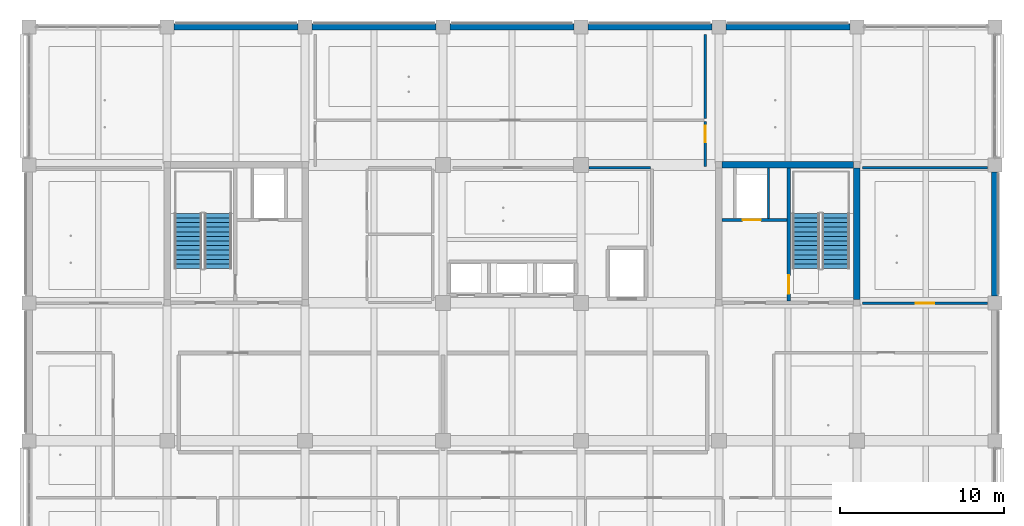
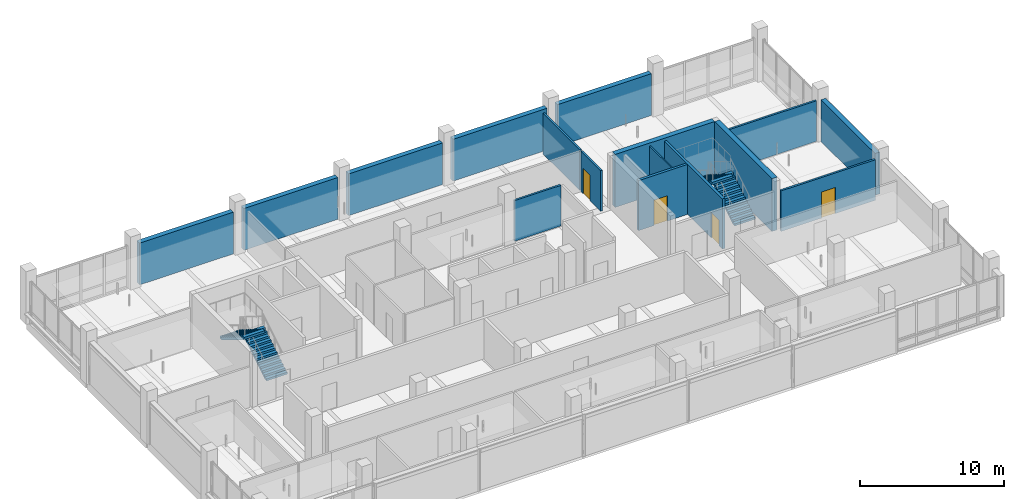
# One storey, part 13 of 36: 16 walls, 4 doors, 4 stair flights, 4 openings, 2 elements without a shape of their own.
"""IFC4 building model written with IfcOpenShell, lengths in metres."""

from ifc_helpers import new_model, si_unit, direction, frame, frame_2d, origin, place, context, subcontext, project, spatial, polyline, rectangle, outline, extrude, material, layer, layer_set, type_object, element, fill, aggregate, save


model = new_model("IFC4")

# Units and contexts
model_context = context("Model", 3, precision=1e-05, world=origin(), true_north=direction((0.0, 1.0)))
body_context = subcontext(model_context, "Body", "Model", "MODEL_VIEW")
ifc_project = project(units=[si_unit("LENGTHUNIT", "METRE"), si_unit("AREAUNIT", "SQUARE_METRE"), si_unit("VOLUMEUNIT", "CUBIC_METRE"), si_unit("PLANEANGLEUNIT", "RADIAN"), si_unit("MASSUNIT", "GRAM", prefix="KILO")], contexts=[model_context])

# Site, building, storey
site_placement = place(None, origin())
site = spatial("IfcSite", under=ifc_project, at=site_placement, CompositionType="ELEMENT")
building_placement = place(site_placement, origin())
building = spatial("IfcBuilding", under=site, at=building_placement, Name="Telukmera Botanical Conservatory", CompositionType="ELEMENT")
storey_placement = place(building_placement, frame((0.0, 0.0, 24.0)))
storey = spatial("IfcBuildingStorey", under=building, at=storey_placement, Name="L05", CompositionType="ELEMENT", Elevation=24.0)

# Walls
ifc_material_1 = material(Name="Terracotta-faced precast concrete C40/50", Category="masonry")
ifc_layer_1 = layer(ifc_material_1, 0.3798828125)
ifc_layer_set_1 = layer_set([ifc_layer_1], Name="Terracotta-faced precast concrete C40/50")
wall_type_1 = type_object("IfcWallType", Name="Exterior Herbarium Vault Insulated Precast Wall 380", PredefinedType="SOLIDWALL", material=ifc_layer_set_1)
wall_1_placement = place(storey_placement, frame((59.22705078125, 42.800048828125, 0.0), z_axis=(0.0, 0.0, 1.0), x_axis=(1.0, 0.0, 0.0)))
element("IfcWall", 1, at=wall_1_placement, inside=storey, type_object=wall_type_1, Name="Exterior Precast Wall EW04 V4:L05:N2", PredefinedType="SOLIDWALL", context=body_context, shape_type="SweptSolid", body=[
    extrude(rectangle(XDim=7.5458984375, YDim=0.3798828125, at=frame_2d((3.77294921875, 0.0))), origin(), (0.0, 0.0, 1.0), 3.550048828125),
])
wall_2_placement = place(storey_placement, frame((67.626953125, 42.800048828125, 0.0), z_axis=(0.0, 0.0, 1.0), x_axis=(1.0, 0.0, 0.0)))
element("IfcWall", 2, at=wall_2_placement, inside=storey, type_object=wall_type_1, Name="Exterior Precast Wall EW04 V4:L05:N3", PredefinedType="SOLIDWALL", context=body_context, shape_type="SweptSolid", body=[
    extrude(rectangle(XDim=7.546142578125, YDim=0.3798828125, at=frame_2d((3.77294921875, 0.0))), origin(), (0.0, 0.0, 1.0), 3.550048828125),
])
for number, where, z_axis, x_axis, name in (
    (3, (76.027099609375, 42.800048828125, 0.0), (0.0, 0.0, 1.0), (1.0, 0.0, 0.0), "Exterior Precast Wall EW04 V4:L05:N4"),
    (4, (84.427001953125, 42.800048828125, 0.0), (0.0, 0.0, 1.0), (1.0, 0.0, 0.0), "Exterior Precast Wall EW04 V4:L05:N5"),
):
    element("IfcWall", number, at=place(storey_placement, frame(where, z_axis=z_axis, x_axis=x_axis)), inside=storey, type_object=wall_type_1, Name=name, PredefinedType="SOLIDWALL", context=body_context, shape_type="SweptSolid", body=[
        extrude(rectangle(XDim=7.5458984375, YDim=0.3798828125, at=frame_2d((3.77294921875, 0.0))), origin(), (0.0, 0.0, 1.0), 3.550048828125),
    ])
wall_3_placement = place(storey_placement, frame((92.826904296875, 42.800048828125, 0.0), z_axis=(0.0, 0.0, 1.0), x_axis=(1.0, 0.0, 0.0)))
element("IfcWall", 5, at=wall_3_placement, inside=storey, type_object=wall_type_1, Name="Exterior Precast Wall EW04 V4:L05:N6", PredefinedType="SOLIDWALL", context=body_context, shape_type="SweptSolid", body=[
    extrude(rectangle(XDim=7.546142578125, YDim=0.3798828125, at=frame_2d((3.77294921875, 0.0))), origin(), (0.0, 0.0, 1.0), 3.550048828125),
])
wall_4_placement = place(storey_placement, frame((109.199951171875, 26.427001953125, 0.0), z_axis=(0.0, 0.0, 1.0), x_axis=(0.0, 1.0, 0.0)))
element("IfcWall", 6, at=wall_4_placement, inside=storey, type_object=wall_type_1, Name="Exterior Precast Wall EW04 V4:L05:E3", PredefinedType="SOLIDWALL", context=body_context, shape_type="SweptSolid", body=[
    extrude(rectangle(XDim=7.5458984375, YDim=0.3798828125, at=frame_2d((3.77294921875, 0.0))), origin(), (0.0, 0.0, 1.0), 3.550048828125),
])

# Wall, opening, door
ifc_material_2 = material(Name="Concrete C40/50", Category="concrete")
ifc_layer_2 = layer(ifc_material_2, 0.199951171875)
ifc_layer_set_2 = layer_set([ifc_layer_2], Name="Concrete C40/50")
wall_type_2 = type_object("IfcWallType", Name="WT-CORE-200", PredefinedType="SOLIDWALL", material=ifc_layer_set_2)
wall_5_placement = place(storey_placement, frame((96.64990234375, 26.10009765625, 0.0), z_axis=(0.0, 0.0, 1.0), x_axis=(0.0, 1.0, 0.0)))
wall_5 = element("IfcWall", 7, at=wall_5_placement, inside=storey, type_object=wall_type_2, Name="L05 Core C2 Stair-Lobby Wall", PredefinedType="SOLIDWALL", context=body_context, shape_type="SweptSolid", body=[
    extrude(rectangle(XDim=8.099853515625, YDim=0.199951171875, at=frame_2d((4.0498046875, 0.0))), origin(), (0.0, 0.0, 1.0), 4.25),
])
opening_1_placement = place(wall_5_placement, frame((0.449951171875, 0.0, 0.0)))
opening_1 = element("IfcOpeningElement", 8, at=opening_1_placement, cuts=wall_5, Name="Opening FD60B", PredefinedType="OPENING", context=body_context, shape_type="SweptSolid", body=[
    extrude(rectangle(XDim=1.1201171875, YDim=2.14990234375, at=frame_2d((0.56005859375, 1.074951171875))), frame((0.0, 0.10986328125, 0.0), z_axis=(0.0, -1.0, 0.0), x_axis=(1.0, 0.0, 0.0)), (0.0, 0.0, 1.0), 0.219970703125),
])
ifc_material_3 = material(Name="Hardwood fire door", Category="wood")
door_type_1 = type_object("IfcDoorType", Name="DT-FD60-02", OperationType="NOTDEFINED", PredefinedType="DOOR", material=ifc_material_3)
door_1_placement = place(opening_1_placement, frame((1.1201171875, 0.0, 0.0), z_axis=(0.0, 0.0, 1.0), x_axis=(-1.0, 0.0, 0.0)))
door_1 = element("IfcDoor", 9, at=door_1_placement, inside=storey, type_object=door_type_1, Name="L05 Firefighting Lobby C2 to ST2 Door", OperationType="SINGLE_SWING_RIGHT", OverallHeight=2.14990234375, OverallWidth=1.1201171875, PredefinedType="DOOR", context=body_context, shape_type="SweptSolid", body=[
    extrude(rectangle(XDim=1.1201171875, YDim=2.14990234375, at=frame_2d((0.56005859375, 1.074951171875))), frame((0.0, 0.02490234375, 0.0), z_axis=(0.0, -1.0, 0.0), x_axis=(1.0, 0.0, 0.0)), (0.0, 0.0, 1.0), 0.050048828125),
])
fill(opening_1, door_1)

wall_6_placement = place(storey_placement, frame((92.60009765625, 31.050048828125, 0.0), z_axis=(0.0, 0.0, 1.0), x_axis=(1.0, 0.0, 0.0)))
wall_6 = element("IfcWall", 10, at=wall_6_placement, inside=storey, type_object=wall_type_2, Name="L05 Fire Lift FL2 Shaft Front Wall", PredefinedType="SOLIDWALL", context=body_context, shape_type="SweptSolid", body=[
    extrude(rectangle(XDim=3.949951171875, YDim=0.199951171875, at=frame_2d((1.97509765625, 0.0))), origin(), (0.0, 0.0, 1.0), 4.25),
])
opening_2_placement = place(wall_6_placement, frame((1.25, 0.0, 0.0)))
opening_2 = element("IfcOpeningElement", 11, at=opening_2_placement, cuts=wall_6, Name="Opening LD01", PredefinedType="OPENING", context=body_context, shape_type="SweptSolid", body=[
    extrude(rectangle(XDim=1.10009765625, YDim=2.14990234375, at=frame_2d((0.550048828125, 1.074951171875))), frame((0.0, 0.10986328125, 0.0), z_axis=(0.0, -1.0, 0.0), x_axis=(1.0, 0.0, 0.0)), (0.0, 0.0, 1.0), 0.219970703125),
])
ifc_material_4 = material(Name="Stainless steel 316", Category="steel")
door_type_2 = type_object("IfcDoorType", Name="DT-LD01", OperationType="SLIDING_TO_LEFT", PredefinedType="DOOR", material=ifc_material_4)
door_2_placement = place(opening_2_placement, frame((1.10009765625, 0.0, 0.0), z_axis=(0.0, 0.0, 1.0), x_axis=(-1.0, 0.0, 0.0)))
door_2 = element("IfcDoor", 12, at=door_2_placement, inside=storey, type_object=door_type_2, Name="L05 Lift Landing Door FL2", OperationType="SLIDING_TO_LEFT", OverallHeight=2.14990234375, OverallWidth=1.10009765625, PredefinedType="DOOR", context=body_context, shape_type="SweptSolid", body=[
    extrude(rectangle(XDim=1.10009765625, YDim=2.14990234375, at=frame_2d((0.550048828125, 1.074951171875))), frame((0.0, 0.02490234375, 0.0), z_axis=(0.0, -1.0, 0.0), x_axis=(1.0, 0.0, 0.0)), (0.0, 0.0, 1.0), 0.050048828125),
])
fill(opening_2, door_2)

# Wall
ifc_material_5 = material(Name="Gypsum acoustic stud partition")
ifc_layer_3 = layer(ifc_material_5, 0.159912109375)
ifc_layer_set_3 = layer_set([ifc_layer_3], Name="Gypsum acoustic stud partition")
wall_type_3 = type_object("IfcWallType", Name="WT-LAB-160", PredefinedType="PARTITIONING", material=ifc_layer_set_3)
wall_7_placement = place(storey_placement, frame((84.47998046875, 34.22509765625, 0.0), z_axis=(0.0, 0.0, 1.0), x_axis=(1.0, 0.0, 0.0)))
element("IfcWall", 13, at=wall_7_placement, inside=storey, type_object=wall_type_3, Name="L05 Interior Partition 08", PredefinedType="PARTITIONING", context=body_context, shape_type="SweptSolid", body=[
    extrude(rectangle(XDim=3.755126953125, YDim=0.159912109375, at=frame_2d((1.87744140625, 0.0))), origin(), (0.0, 0.0, 1.0), 3.449951171875),
])

# Wall, opening, door
wall_8_placement = place(storey_placement, frame((101.14990234375, 25.97509765625, 0.0), z_axis=(0.0, 0.0, 1.0), x_axis=(1.0, 0.0, 0.0)))
wall_8 = element("IfcWall", 14, at=wall_8_placement, inside=storey, type_object=wall_type_3, Name="L05 Interior Partition 11", PredefinedType="PARTITIONING", context=body_context, shape_type="SweptSolid", body=[
    extrude(rectangle(XDim=7.59521484375, YDim=0.159912109375, at=frame_2d((3.797607421875, 0.0))), origin(), (0.0, 0.0, 1.0), 3.449951171875),
])
opening_3_placement = place(wall_8_placement, frame((3.2275390625, 0.0, 0.0)))
opening_3 = element("IfcOpeningElement", 15, at=opening_3_placement, cuts=wall_8, Name="Opening ID10", PredefinedType="OPENING", context=body_context, shape_type="SweptSolid", body=[
    extrude(rectangle(XDim=1.139892578125, YDim=2.219970703125, at=frame_2d((0.56982421875, 1.10986328125))), frame((0.0, 0.08984375, 0.0), z_axis=(0.0, -1.0, 0.0), x_axis=(1.0, 0.0, 0.0)), (0.0, 0.0, 1.0), 0.179931640625),
])
ifc_material_6 = material(Name="Sealed steel herbarium door", Category="steel")
door_type_3 = type_object("IfcDoorType", Name="DT-HERB-114", OperationType="NOTDEFINED", PredefinedType="DOOR", material=ifc_material_6)
door_3_placement = place(opening_3_placement, origin())
door_3 = element("IfcDoor", 16, at=door_3_placement, inside=storey, type_object=door_type_3, Name="L05 Botanical Xylarium Archive Room Door", OperationType="SINGLE_SWING_RIGHT", OverallHeight=2.219970703125, OverallWidth=1.139892578125, PredefinedType="DOOR", context=body_context, shape_type="SweptSolid", body=[
    extrude(rectangle(XDim=1.139892578125, YDim=2.219970703125, at=frame_2d((0.56982421875, 1.10986328125))), frame((0.0, 0.02490234375, 0.0), z_axis=(0.0, -1.0, 0.0), x_axis=(1.0, 0.0, 0.0)), (0.0, 0.0, 1.0), 0.050048828125),
])
fill(opening_3, door_3)

# Walls
wall_9_placement = place(storey_placement, frame((101.14990234375, 34.22509765625, 0.0), z_axis=(0.0, 0.0, 1.0), x_axis=(1.0, 0.0, 0.0)))
element("IfcWall", 17, at=wall_9_placement, inside=storey, type_object=wall_type_3, Name="L05 Interior Partition 12", PredefinedType="PARTITIONING", context=body_context, shape_type="SweptSolid", body=[
    extrude(rectangle(XDim=7.59521484375, YDim=0.159912109375, at=frame_2d((3.797607421875, 0.0))), origin(), (0.0, 0.0, 1.0), 3.449951171875),
])
wall_10_placement = place(storey_placement, frame((91.574951171875, 37.215087890625, 0.0), z_axis=(0.0, 0.0, 1.0), x_axis=(0.0, 1.0, 0.0)))
element("IfcWall", 18, at=wall_10_placement, inside=storey, type_object=wall_type_3, Name="L05 Interior Partition 33", PredefinedType="PARTITIONING", context=body_context, shape_type="SweptSolid", body=[
    extrude(rectangle(XDim=5.135009765625, YDim=0.159912109375, at=frame_2d((2.5673828125, 0.0))), origin(), (0.0, 0.0, 1.0), 3.449951171875),
])
ifc_material_7 = material(Name="Gypsum shaftwall liner")
ifc_layer_4 = layer(ifc_material_7, 0.110107421875)
ifc_layer_set_4 = layer_set([ifc_layer_4], Name="Gypsum shaftwall liner")
wall_type_4 = type_object("IfcWallType", Name="WT-RISER-110", PredefinedType="PARTITIONING", material=ifc_layer_set_4)
wall_11_placement = place(storey_placement, frame((95.419921875, 31.14990234375, 0.0), z_axis=(0.0, 0.0, 1.0), x_axis=(0.0, 1.0, 0.0)))
element("IfcWall", 19, at=wall_11_placement, inside=storey, type_object=wall_type_4, Name="L05 Wet Riser C2 Shaft Wall", PredefinedType="PARTITIONING", context=body_context, shape_type="SweptSolid", body=[
    extrude(rectangle(XDim=3.050048828125, YDim=0.110107421875, at=frame_2d((1.52490234375, 0.0))), origin(), (0.0, 0.0, 1.0), 4.25),
])

# Wall, opening, door
ifc_layer_5 = layer(ifc_material_5, 0.14990234375)
ifc_layer_set_5 = layer_set([ifc_layer_5], Name="Gypsum acoustic stud partition")
wall_type_5 = type_object("IfcWallType", Name="WT-STD-150", PredefinedType="PARTITIONING", material=ifc_layer_set_5)
wall_12_placement = place(storey_placement, frame((91.574951171875, 34.300048828125, 0.0), z_axis=(0.0, 0.0, 1.0), x_axis=(0.0, 1.0, 0.0)))
wall_12 = element("IfcWall", 20, at=wall_12_placement, inside=storey, type_object=wall_type_5, Name="L05 Interior Partition 31", PredefinedType="PARTITIONING", context=body_context, shape_type="SweptSolid", body=[
    extrude(rectangle(XDim=2.73486328125, YDim=0.14990234375, at=frame_2d((1.367431640625, 0.0))), origin(), (0.0, 0.0, 1.0), 3.449951171875),
])
opening_4_placement = place(wall_12_placement, frame((1.485107421875, 0.0, 0.0)))
opening_4 = element("IfcOpeningElement", 21, at=opening_4_placement, cuts=wall_12, Name="Opening ID14", PredefinedType="OPENING", context=body_context, shape_type="SweptSolid", body=[
    extrude(rectangle(XDim=1.0, YDim=2.14990234375, at=frame_2d((0.5, 1.074951171875))), frame((0.0, 0.0849609375, 0.0), z_axis=(0.0, -1.0, 0.0), x_axis=(1.0, 0.0, 0.0)), (0.0, 0.0, 1.0), 0.169921875),
])
ifc_material_8 = material(Name="Acoustic timber office door", Category="wood")
door_type_4 = type_object("IfcDoorType", Name="DT-WRT-100", OperationType="NOTDEFINED", PredefinedType="DOOR", material=ifc_material_8)
door_4_placement = place(opening_4_placement, frame((1.0, 0.0, 0.0), z_axis=(0.0, 0.0, 1.0), x_axis=(-1.0, 0.0, 0.0)))
door_4 = element("IfcDoor", 22, at=door_4_placement, inside=storey, type_object=door_type_4, Name="L05 Herbarium Fellows Studio Door", OperationType="SINGLE_SWING_RIGHT", OverallHeight=2.14990234375, OverallWidth=1.0, PredefinedType="DOOR", context=body_context, shape_type="SweptSolid", body=[
    extrude(rectangle(XDim=1.0, YDim=2.14990234375, at=frame_2d((0.5, 1.074951171875))), frame((0.0, 0.02490234375, 0.0), z_axis=(0.0, -1.0, 0.0), x_axis=(1.0, 0.0, 0.0)), (0.0, 0.0, 1.0), 0.050048828125),
])
fill(opening_4, door_4)

# Walls
ifc_material_9 = material(Name="Concrete C50/60", Category="concrete")
ifc_layer_6 = layer(ifc_material_9, 0.39990234375)
ifc_layer_set_6 = layer_set([ifc_layer_6], Name="Concrete C50/60")
wall_type_6 = type_object("IfcWallType", Name="Wall_CW1", PredefinedType="SHEAR", material=ifc_layer_set_6)
for number, where, z_axis, x_axis, name in (
    (23, (100.800048828125, 26.199951171875, 0.0), (0.0, 0.0, 1.0), (0.0, 1.0, 0.0), "Core C2 Shear Wall East L05"),
    (24, (92.60009765625, 34.39990234375, 0.0), (0.0, 0.0, 1.0), (1.0, 0.0, 0.0), "Core C2 Shear Wall North L05"),
):
    element("IfcWall", number, at=place(storey_placement, frame(where, z_axis=z_axis, x_axis=x_axis)), inside=storey, type_object=wall_type_6, Name=name, PredefinedType="SHEAR", context=body_context, shape_type="SweptSolid", body=[
        extrude(rectangle(XDim=8.0, YDim=0.39990234375, at=frame_2d((4.0, 0.0))), origin(), (0.0, 0.0, 1.0), 4.5),
    ])

# Stair, stair flights
stair_type = type_object("IfcStairType", Name="ST-ESC-4500", PredefinedType="HALF_TURN_STAIR", material=ifc_material_2)
stair_1_placement = place(storey_placement, origin())
stair_1 = element("IfcStair", 25, at=stair_1_placement, inside=storey, type_object=stair_type, Name="L05 Protected Escape Stair ST1", PredefinedType="HALF_TURN_STAIR")
stair_flight_type = type_object("IfcStairFlightType", Name="SF-ESC-4500", PredefinedType="STRAIGHT", material=ifc_material_2)
stair_flight_1_placement = place(storey_placement, frame((61.89990234375, 28.090087890625, 0.0), z_axis=(0.0, 0.0, 1.0), x_axis=(0.0, 1.0, 0.0)))
stair_flight_1 = element("IfcStairFlight", 26, at=stair_flight_1_placement, type_object=stair_flight_type, Name="ST1 flight 1", NumberOfRisers=13, NumberOfTreads=12, PredefinedType="STRAIGHT", RiserHeight=0.173076923, TreadLength=0.28, context=body_context, shape_type="SweptSolid", body=[
    extrude(outline(polyline([(0.0, 0.0), (0.0, 0.173095703125), (0.280029296875, 0.173095703125), (0.280029296875, 0.34619140625), (0.56005859375, 0.34619140625), (0.56005859375, 0.519287109375), (0.840087890625, 0.519287109375), (0.840087890625, 0.6923828125), (1.1201171875, 0.6923828125), (1.1201171875, 0.865478515625), (1.39990234375, 0.865478515625), (1.39990234375, 1.03857421875), (1.679931640625, 1.03857421875), (1.679931640625, 1.21142578125), (1.9599609375, 1.21142578125), (1.9599609375, 1.384521484375), (2.239990234375, 1.384521484375), (2.239990234375, 1.5576171875), (2.52001953125, 1.5576171875), (2.52001953125, 1.730712890625), (2.800048828125, 1.730712890625), (2.800048828125, 1.90380859375), (3.080078125, 1.90380859375), (3.080078125, 2.076904296875), (3.360107421875, 2.076904296875), (3.360107421875, 2.25), (3.360107421875, 1.888916015625), (0.30419921875, 0.0), (0.0, 0.0)])), frame((0.0, 0.830078125, 0.0), z_axis=(0.0, -1.0, 0.0), x_axis=(1.0, 0.0, 0.0)), (0.0, 0.0, 1.0), 1.659912109375),
])
stair_flight_2_placement = place(storey_placement, frame((60.080078125, 31.449951171875, 2.25), z_axis=(0.0, 0.0, 1.0), x_axis=(0.0, -1.0, 0.0)))
stair_flight_2 = element("IfcStairFlight", 27, at=stair_flight_2_placement, type_object=stair_flight_type, Name="ST1 flight 2", NumberOfRisers=13, NumberOfTreads=12, PredefinedType="STRAIGHT", RiserHeight=0.173076923, TreadLength=0.28, context=body_context, shape_type="SweptSolid", body=[
    extrude(outline(polyline([(0.0, 0.0), (0.0, 0.173095703125), (0.280029296875, 0.173095703125), (0.280029296875, 0.34619140625), (0.56005859375, 0.34619140625), (0.56005859375, 0.519287109375), (0.840087890625, 0.519287109375), (0.840087890625, 0.6923828125), (1.1201171875, 0.6923828125), (1.1201171875, 0.865478515625), (1.39990234375, 0.865478515625), (1.39990234375, 1.03857421875), (1.679931640625, 1.03857421875), (1.679931640625, 1.21142578125), (1.9599609375, 1.21142578125), (1.9599609375, 1.384521484375), (2.239990234375, 1.384521484375), (2.239990234375, 1.5576171875), (2.52001953125, 1.5576171875), (2.52001953125, 1.730712890625), (2.800048828125, 1.730712890625), (2.800048828125, 1.90380859375), (3.080078125, 1.90380859375), (3.080078125, 2.076904296875), (3.360107421875, 2.076904296875), (3.360107421875, 2.25), (3.360107421875, 1.888916015625), (0.30419921875, 0.0), (0.0, 0.0)])), frame((0.0, 0.830078125, 0.0), z_axis=(0.0, -1.0, 0.0), x_axis=(1.0, 0.0, 0.0)), (0.0, 0.0, 1.0), 1.659912109375),
])
aggregate(stair_1, [stair_flight_1, stair_flight_2])

stair_2_placement = place(storey_placement, origin())
stair_2 = element("IfcStair", 28, at=stair_2_placement, inside=storey, type_object=stair_type, Name="L05 Protected Escape Stair ST2", PredefinedType="HALF_TURN_STAIR")
stair_flight_3_placement = place(storey_placement, frame((99.52001953125, 28.090087890625, 0.0), z_axis=(0.0, 0.0, 1.0), x_axis=(0.0, 1.0, 0.0)))
stair_flight_3 = element("IfcStairFlight", 29, at=stair_flight_3_placement, type_object=stair_flight_type, Name="ST2 flight 1", NumberOfRisers=13, NumberOfTreads=12, PredefinedType="STRAIGHT", RiserHeight=0.173076923, TreadLength=0.28, context=body_context, shape_type="SweptSolid", body=[
    extrude(outline(polyline([(0.0, 0.0), (0.0, 0.173095703125), (0.280029296875, 0.173095703125), (0.280029296875, 0.34619140625), (0.56005859375, 0.34619140625), (0.56005859375, 0.519287109375), (0.840087890625, 0.519287109375), (0.840087890625, 0.6923828125), (1.1201171875, 0.6923828125), (1.1201171875, 0.865478515625), (1.39990234375, 0.865478515625), (1.39990234375, 1.03857421875), (1.679931640625, 1.03857421875), (1.679931640625, 1.21142578125), (1.9599609375, 1.21142578125), (1.9599609375, 1.384521484375), (2.239990234375, 1.384521484375), (2.239990234375, 1.5576171875), (2.52001953125, 1.5576171875), (2.52001953125, 1.730712890625), (2.800048828125, 1.730712890625), (2.800048828125, 1.90380859375), (3.080078125, 1.90380859375), (3.080078125, 2.076904296875), (3.360107421875, 2.076904296875), (3.360107421875, 2.25), (3.360107421875, 1.888916015625), (0.30419921875, 0.0), (0.0, 0.0)])), frame((0.0, 0.830078125, 0.0), z_axis=(0.0, -1.0, 0.0), x_axis=(1.0, 0.0, 0.0)), (0.0, 0.0, 1.0), 1.659912109375),
])
stair_flight_4_placement = place(storey_placement, frame((97.699951171875, 31.449951171875, 2.25), z_axis=(0.0, 0.0, 1.0), x_axis=(0.0, -1.0, 0.0)))
stair_flight_4 = element("IfcStairFlight", 30, at=stair_flight_4_placement, type_object=stair_flight_type, Name="ST2 flight 2", NumberOfRisers=13, NumberOfTreads=12, PredefinedType="STRAIGHT", RiserHeight=0.173076923, TreadLength=0.28, context=body_context, shape_type="SweptSolid", body=[
    extrude(outline(polyline([(0.0, 0.0), (0.0, 0.173095703125), (0.280029296875, 0.173095703125), (0.280029296875, 0.34619140625), (0.56005859375, 0.34619140625), (0.56005859375, 0.519287109375), (0.840087890625, 0.519287109375), (0.840087890625, 0.6923828125), (1.1201171875, 0.6923828125), (1.1201171875, 0.865478515625), (1.39990234375, 0.865478515625), (1.39990234375, 1.03857421875), (1.679931640625, 1.03857421875), (1.679931640625, 1.21142578125), (1.9599609375, 1.21142578125), (1.9599609375, 1.384521484375), (2.239990234375, 1.384521484375), (2.239990234375, 1.5576171875), (2.52001953125, 1.5576171875), (2.52001953125, 1.730712890625), (2.800048828125, 1.730712890625), (2.800048828125, 1.90380859375), (3.080078125, 1.90380859375), (3.080078125, 2.076904296875), (3.360107421875, 2.076904296875), (3.360107421875, 2.25), (3.360107421875, 1.888916015625), (0.30419921875, 0.0), (0.0, 0.0)])), frame((0.0, 0.830078125, 0.0), z_axis=(0.0, -1.0, 0.0), x_axis=(1.0, 0.0, 0.0)), (0.0, 0.0, 1.0), 1.659912109375),
])
aggregate(stair_2, [stair_flight_3, stair_flight_4])

save(model, "model.ifc")
